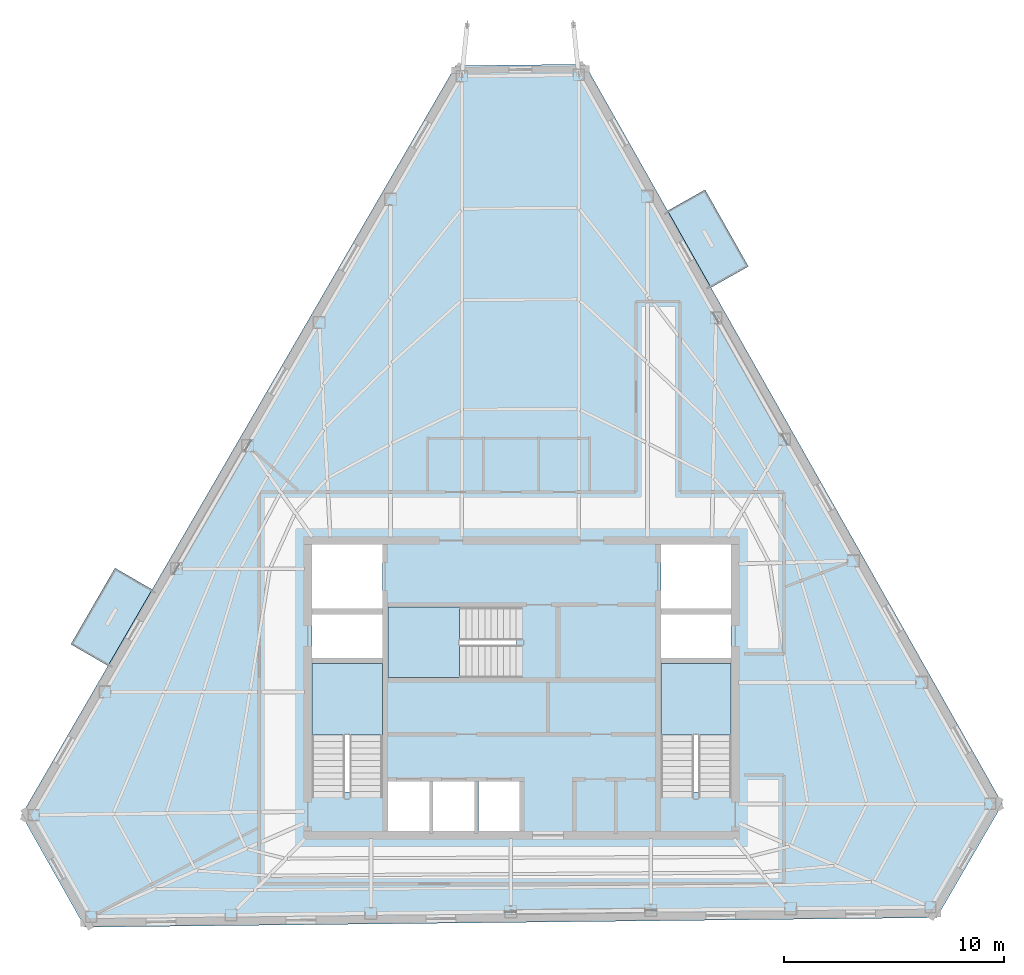
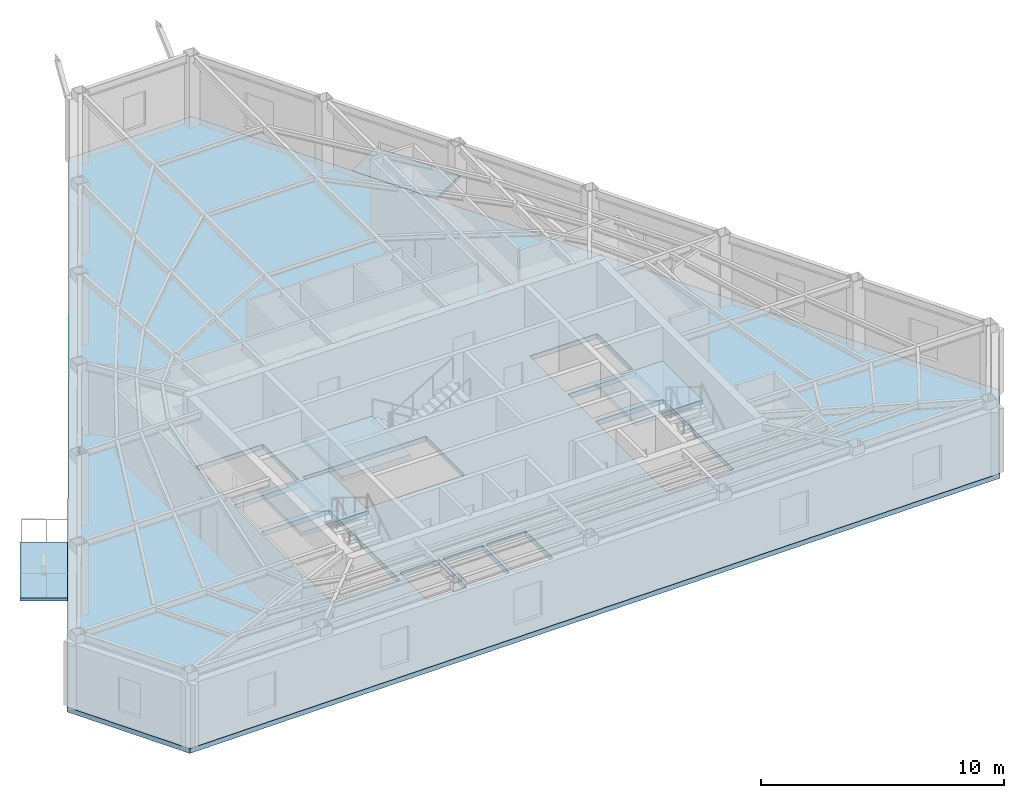
# One storey, part 3 of 10: 6 slabs, 3 elements without a shape of their own.
"""IFC4 building model written with IfcOpenShell, lengths in metres."""

from ifc_helpers import new_model, si_unit, direction, frame, origin, place, context, subcontext, project, spatial, polyline, outline, extrude, material, layer, layer_set, type_object, element, aggregate, save


model = new_model("IFC4")

# Units and contexts
model_context = context("Model", 3, precision=1e-05, world=origin(), true_north=direction((0.0, 1.0)))
body_context = subcontext(model_context, "Body", "Model", "MODEL_VIEW")
ifc_project = project(units=[si_unit("LENGTHUNIT", "METRE"), si_unit("AREAUNIT", "SQUARE_METRE"), si_unit("VOLUMEUNIT", "CUBIC_METRE"), si_unit("PLANEANGLEUNIT", "RADIAN"), si_unit("MASSUNIT", "GRAM", prefix="KILO")], contexts=[model_context])

# Site, building, storey
site_placement = place(None, origin())
site = spatial("IfcSite", under=ifc_project, at=site_placement, CompositionType="ELEMENT")
building_placement = place(site_placement, origin())
building = spatial("IfcBuilding", under=site, at=building_placement, Name="Kavelnor Concourse Tower", CompositionType="ELEMENT")
storey_placement = place(building_placement, frame((0.0, 0.0, 293.39990234375)))
storey = spatial("IfcBuildingStorey", under=building, at=storey_placement, Name="L74", CompositionType="ELEMENT", Elevation=293.39990234375)

# Slabs
ifc_material = material(Name="Concrete C40/50", Category="concrete")
ifc_layer_1 = layer(ifc_material, 0.169921875, Name="Concrete C40/50")
ifc_layer_set_1 = layer_set([ifc_layer_1], Name="Concrete C40/50")
slab_type_1 = type_object("IfcSlabType", Name="SLB-BALCONY-170", PredefinedType="FLOOR", material=ifc_layer_set_1)
slab_1_placement = place(storey_placement, frame((0.0, 0.0, -0.169921875)))
element("IfcSlab", 1, at=slab_1_placement, inside=storey, type_object=slab_type_1, Name="L74 Cantilevered Tree Balcony Slab 1", PredefinedType="FLOOR", context=body_context, shape_type="SweptSolid", body=[
    extrude(outline(polyline([(46.3310546875, 38.715087890625), (48.29736328125, 35.23193359375), (46.599365234375, 34.273193359375), (44.6328125, 37.756591796875), (46.3310546875, 38.715087890625)])), origin(), (0.0, 0.0, 1.0), 0.169921875),
])
slab_2_placement = place(storey_placement, frame((0.0, 0.0, -0.169921875)))
element("IfcSlab", 2, at=slab_2_placement, inside=storey, type_object=slab_type_1, Name="L74 Cantilevered Tree Balcony Slab 2", PredefinedType="FLOOR", context=body_context, shape_type="SweptSolid", body=[
    extrude(outline(polyline([(17.536865234375, 18.079345703125), (19.542236328125, 21.540283203125), (21.2294921875, 20.562744140625), (19.22412109375, 17.101806640625), (17.536865234375, 18.079345703125)])), origin(), (0.0, 0.0, 1.0), 0.169921875),
])

# Stair, slab
stair_type = type_object("IfcStairType", Name="STR-CORE-1500", PredefinedType="HALF_TURN_STAIR", material=ifc_material)
stair_1_placement = place(storey_placement, origin())
stair_1 = element("IfcStair", 3, at=stair_1_placement, inside=storey, type_object=stair_type, Name="L74 ST1", PredefinedType="HALF_TURN_STAIR")
ifc_layer_2 = layer(ifc_material, 0.199951171875, Name="Concrete C40/50")
ifc_layer_set_2 = layer_set([ifc_layer_2], Name="Concrete C40/50")
slab_type_2 = type_object("IfcSlabType", Name="SLB-LANDING-200", PredefinedType="LANDING", material=ifc_layer_set_2)
slab_3_placement = place(storey_placement, frame((0.0, 0.0, 1.72509765625)))
slab_3 = element("IfcSlab", 4, at=slab_3_placement, type_object=slab_type_2, Name="ST1 landing 1", PredefinedType="LANDING", context=body_context, shape_type="SweptSolid", body=[
    extrude(outline(polyline([(31.679931640625, 13.949951171875), (31.679931640625, 17.199951171875), (28.47998046875, 17.199951171875), (28.47998046875, 13.949951171875), (31.679931640625, 13.949951171875)])), origin(), (0.0, 0.0, 1.0), 0.199951171875),
])
aggregate(stair_1, [slab_3])

stair_2_placement = place(storey_placement, origin())
stair_2 = element("IfcStair", 5, at=stair_2_placement, inside=storey, type_object=stair_type, Name="L74 ST2", PredefinedType="HALF_TURN_STAIR")
slab_4_placement = place(storey_placement, frame((0.0, 0.0, 1.72509765625)))
slab_4 = element("IfcSlab", 6, at=slab_4_placement, type_object=slab_type_2, Name="ST2 landing 1", PredefinedType="LANDING", context=body_context, shape_type="SweptSolid", body=[
    extrude(outline(polyline([(47.52001953125, 13.949951171875), (47.52001953125, 17.199951171875), (44.320068359375, 17.199951171875), (44.320068359375, 13.949951171875), (47.52001953125, 13.949951171875)])), origin(), (0.0, 0.0, 1.0), 0.199951171875),
])
aggregate(stair_2, [slab_4])

stair_3_placement = place(storey_placement, origin())
stair_3 = element("IfcStair", 7, at=stair_3_placement, inside=storey, type_object=stair_type, Name="L74 ST3", PredefinedType="HALF_TURN_STAIR")
slab_5_placement = place(storey_placement, frame((0.0, 0.0, 1.72509765625)))
slab_5 = element("IfcSlab", 8, at=slab_5_placement, type_object=slab_type_2, Name="ST3 landing 1", PredefinedType="LANDING", context=body_context, shape_type="SweptSolid", body=[
    extrude(outline(polyline([(35.18994140625, 19.760009765625), (31.93994140625, 19.760009765625), (31.93994140625, 16.56005859375), (35.18994140625, 16.56005859375), (35.18994140625, 19.760009765625)])), origin(), (0.0, 0.0, 1.0), 0.199951171875),
])
aggregate(stair_3, [slab_5])

# Slab
ifc_layer_3 = layer(ifc_material, 0.239990234375, Name="Concrete C40/50")
ifc_layer_set_3 = layer_set([ifc_layer_3], Name="Concrete C40/50")
slab_type_3 = type_object("IfcSlabType", Name="SLB-OFFICE-240", PredefinedType="FLOOR", material=ifc_layer_set_3)
slab_6_placement = place(storey_placement, frame((0.0, 0.0, -0.239990234375)))
element("IfcSlab", 9, at=slab_6_placement, inside=storey, type_object=slab_type_3, Name="L74 Composite Structural Floor Slab", PredefinedType="FLOOR", context=body_context, shape_type="SweptSolid", body=[
    extrude(outline(polyline([(40.87646484375, 44.41064453125), (35.009521484375, 44.344970703125), (15.29931640625, 10.328125), (18.175537109375, 5.23291015625), (56.844970703125, 5.6669921875), (59.835205078125, 10.827880859375), (40.87646484375, 44.41064453125)]), holes=[polyline([(28.47998046875, 11.3798828125), (31.679931640625, 11.3798828125), (31.679931640625, 17.199951171875), (28.47998046875, 17.199951171875), (28.47998046875, 11.3798828125)]), polyline([(44.320068359375, 11.3798828125), (47.52001953125, 11.3798828125), (47.52001953125, 17.199951171875), (44.320068359375, 17.199951171875), (44.320068359375, 11.3798828125)]), polyline([(31.93994140625, 16.56005859375), (37.760009765625, 16.56005859375), (37.760009765625, 19.760009765625), (31.93994140625, 19.760009765625), (31.93994140625, 16.56005859375)]), polyline([(28.47998046875, 19.699951171875), (31.679931640625, 19.699951171875), (31.679931640625, 22.60009765625), (28.47998046875, 22.60009765625), (28.47998046875, 19.699951171875)]), polyline([(44.320068359375, 19.699951171875), (47.52001953125, 19.699951171875), (47.52001953125, 22.60009765625), (44.320068359375, 22.60009765625), (44.320068359375, 19.699951171875)]), polyline([(31.93994140625, 9.60009765625), (33.81005859375, 9.60009765625), (33.81005859375, 11.840087890625), (31.93994140625, 11.840087890625), (31.93994140625, 9.60009765625)]), polyline([(33.989990234375, 9.60009765625), (35.860107421875, 9.60009765625), (35.860107421875, 11.840087890625), (33.989990234375, 11.840087890625), (33.989990234375, 9.60009765625)]), polyline([(36.0400390625, 9.60009765625), (37.909912109375, 9.60009765625), (37.909912109375, 11.840087890625), (36.0400390625, 11.840087890625), (36.0400390625, 9.60009765625)]), polyline([(28.47998046875, 17.4599609375), (31.679931640625, 17.4599609375), (31.679931640625, 19.43994140625), (28.47998046875, 19.43994140625), (28.47998046875, 17.4599609375)]), polyline([(44.320068359375, 17.4599609375), (47.52001953125, 17.4599609375), (47.52001953125, 19.43994140625), (44.320068359375, 19.43994140625), (44.320068359375, 17.4599609375)])]), origin(), (0.0, 0.0, 1.0), 0.239990234375),
])

save(model, "model.ifc")
